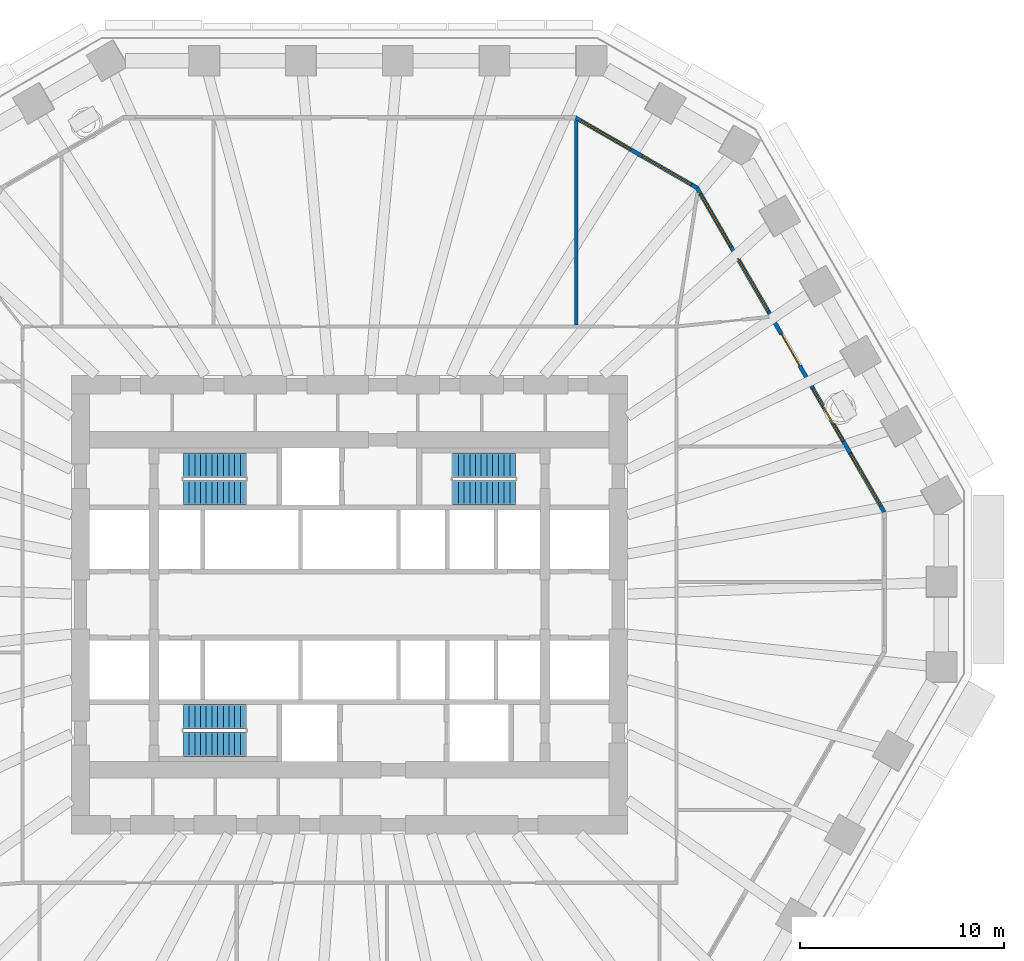
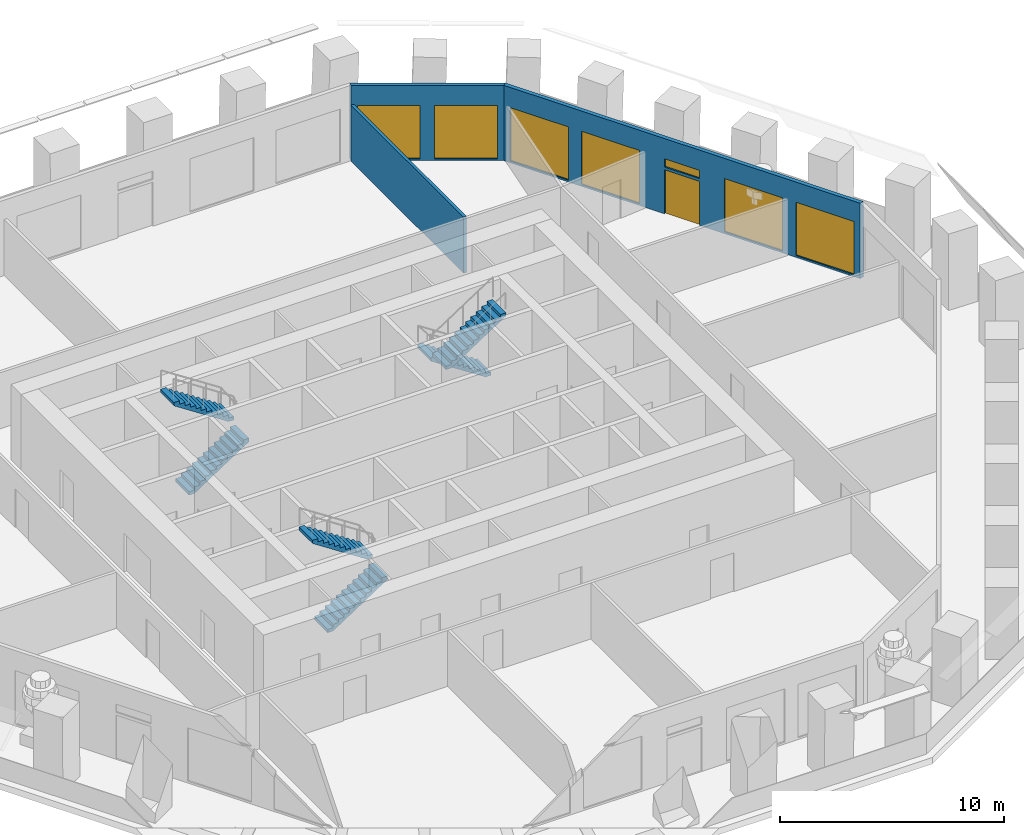
# One storey, part 8 of 12: 7 windows, 6 stair flights, 3 walls, 1 door, 8 openings, 3 elements without a shape of their own.
"""IFC4 building model written with IfcOpenShell, lengths in metres."""

from ifc_helpers import new_model, si_unit, direction, frame, frame_2d, origin, place, context, subcontext, project, spatial, polyline, rectangle, outline, extrude, material, layer, layer_set, type_object, element, fill, aggregate, save


model = new_model("IFC4")

# Units and contexts
model_context = context("Model", 3, precision=1e-05, world=origin(), true_north=direction((0.0, 1.0)))
body_context = subcontext(model_context, "Body", "Model", "MODEL_VIEW")
ifc_project = project(units=[si_unit("LENGTHUNIT", "METRE"), si_unit("AREAUNIT", "SQUARE_METRE"), si_unit("VOLUMEUNIT", "CUBIC_METRE"), si_unit("PLANEANGLEUNIT", "RADIAN"), si_unit("MASSUNIT", "GRAM", prefix="KILO")], contexts=[model_context])

# Site, building, storey
site_placement = place(None, origin())
site = spatial("IfcSite", under=ifc_project, at=site_placement, CompositionType="ELEMENT")
building_placement = place(site_placement, origin())
building = spatial("IfcBuilding", under=site, at=building_placement, Name="Frailejon Research Tower", CompositionType="ELEMENT")
storey_placement = place(building_placement, frame((0.0, 0.0, 49.800048828125)))
storey = spatial("IfcBuildingStorey", under=building, at=storey_placement, Name="L11", CompositionType="ELEMENT", Elevation=49.800048828125)

# Wall
ifc_material_1 = material(Name="Gypsum board and masonry partition", Category="masonry")
ifc_layer_1 = layer(ifc_material_1, 0.14990234375)
ifc_layer_set_1 = layer_set([ifc_layer_1], Name="Laboratory partition, blockwork 150")
wall_type_1 = type_object("IfcWallType", Name="Laboratory partition, blockwork 150", PredefinedType="PARTITIONING", material=ifc_layer_set_1)
wall_1_placement = place(storey_placement, frame((11.1337890625, 13.72509765625, 0.0), z_axis=(0.0, 0.0, 1.0), x_axis=(0.0, 1.0, 0.0)))
element("IfcWall", 1, at=wall_1_placement, inside=storey, type_object=wall_type_1, Name="T:IW:L11:009", PredefinedType="PARTITIONING", context=body_context, shape_type="SweptSolid", body=[
    extrude(rectangle(XDim=10.0439453125, YDim=0.14990234375, at=frame_2d((5.02197265625, 0.0))), origin(), (0.0, 0.0, 1.0), 3.050048828125),
])

# Wall, openings, door, windows
ifc_material_2 = material(Name="Concrete C40/50 precast window wall panel", Category="concrete")
ifc_layer_2 = layer(ifc_material_2, 0.199951171875)
ifc_layer_set_2 = layer_set([ifc_layer_2], Name="Window wall 200")
wall_type_2 = type_object("IfcWallType", Name="Window wall 200", PredefinedType="SOLIDWALL", material=ifc_layer_set_2)
wall_2_placement = place(storey_placement, frame((26.25146484375, 4.54345703125, 0.0), z_axis=(0.0, 0.0, 1.0), x_axis=(-0.499998761798, 0.866026118659, 0.0)))
wall_2 = element("IfcWall", 2, at=wall_2_placement, inside=storey, type_object=wall_type_2, Name="Exterior wall L11", PredefinedType="SOLIDWALL", context=body_context, shape_type="SweptSolid", body=[
    extrude(outline(polyline([(-0.02685546875, -0.10009765625), (0.997314453125, -0.10009765625), (2.021484375, -0.10009765625), (3.045654296875, -0.10009765625), (4.06982421875, -0.10009765625), (5.09423828125, -0.10009765625), (6.118408203125, -0.10009765625), (7.142578125, -0.10009765625), (8.166748046875, -0.10009765625), (9.19091796875, -0.10009765625), (10.215087890625, -0.10009765625), (11.2392578125, -0.10009765625), (12.263427734375, -0.10009765625), (13.28759765625, -0.10009765625), (14.31201171875, -0.10009765625), (15.336181640625, -0.10009765625), (16.3603515625, -0.10009765625), (17.384521484375, -0.10009765625), (18.40869140625, -0.10009765625), (18.35498046875, 0.10009765625), (17.336669921875, 0.10009765625), (16.318603515625, 0.10009765625), (15.30029296875, 0.10009765625), (14.281982421875, 0.10009765625), (13.263916015625, 0.10009765625), (12.24560546875, 0.10009765625), (11.227294921875, 0.10009765625), (10.209228515625, 0.10009765625), (9.19091796875, 0.10009765625), (8.172607421875, 0.10009765625), (7.154541015625, 0.10009765625), (6.13623046875, 0.10009765625), (5.117919921875, 0.10009765625), (4.099853515625, 0.10009765625), (3.08154296875, 0.10009765625), (2.063232421875, 0.10009765625), (1.045166015625, 0.10009765625), (0.02685546875, 0.10009765625), (-0.02685546875, -0.10009765625)])), origin(), (0.0, 0.0, 1.0), 4.099853515625),
])
opening_1_placement = place(wall_2_placement, frame((0.338134765625, 0.0, 0.10009765625)))
opening_1 = element("IfcOpeningElement", 3, at=opening_1_placement, cuts=wall_2, Name="Opening W4", PredefinedType="OPENING", context=body_context, shape_type="SweptSolid", body=[
    extrude(rectangle(XDim=3.0, YDim=2.89990234375, at=frame_2d((1.5, 1.449951171875))), frame((0.0, 0.10986328125, 0.0), z_axis=(0.0, -1.0, 0.0), x_axis=(1.0, 0.0, 0.0)), (0.0, 0.0, 1.0), 0.219970703125),
])
opening_2_placement = place(wall_2_placement, frame((4.0146484375, 0.0, 0.10009765625)))
opening_2 = element("IfcOpeningElement", 4, at=opening_2_placement, cuts=wall_2, Name="Opening W4", PredefinedType="OPENING", context=body_context, shape_type="SweptSolid", body=[
    extrude(rectangle(XDim=3.0, YDim=2.89990234375, at=frame_2d((1.5, 1.449951171875))), frame((0.0, 0.10986328125, 0.0), z_axis=(0.0, -1.0, 0.0), x_axis=(1.0, 0.0, 0.0)), (0.0, 0.0, 1.0), 0.219970703125),
])
opening_3_placement = place(wall_2_placement, frame((8.291015625, 0.0, 0.0)))
opening_3 = element("IfcOpeningElement", 5, at=opening_3_placement, cuts=wall_2, Name="Opening LG11-1", PredefinedType="OPENING", context=body_context, shape_type="SweptSolid", body=[
    extrude(rectangle(XDim=1.800048828125, YDim=2.39990234375, at=frame_2d((0.89990234375, 1.199951171875))), frame((0.0, 0.10986328125, 0.0), z_axis=(0.0, -1.0, 0.0), x_axis=(1.0, 0.0, 0.0)), (0.0, 0.0, 1.0), 0.219970703125),
])
opening_4_placement = place(wall_2_placement, frame((8.291015625, 0.0, 2.550048828125)))
opening_4 = element("IfcOpeningElement", 6, at=opening_4_placement, cuts=wall_2, Name="Opening W1", PredefinedType="OPENING", context=body_context, shape_type="SweptSolid", body=[
    extrude(rectangle(XDim=1.800048828125, YDim=0.449951171875, at=frame_2d((0.89990234375, 0.22509765625))), frame((0.0, 0.10986328125, 0.0), z_axis=(0.0, -1.0, 0.0), x_axis=(1.0, 0.0, 0.0)), (0.0, 0.0, 1.0), 0.219970703125),
])
opening_5_placement = place(wall_2_placement, frame((11.3671875, 0.0, 0.10009765625)))
opening_5 = element("IfcOpeningElement", 7, at=opening_5_placement, cuts=wall_2, Name="Opening W4", PredefinedType="OPENING", context=body_context, shape_type="SweptSolid", body=[
    extrude(rectangle(XDim=3.0, YDim=2.89990234375, at=frame_2d((1.5, 1.449951171875))), frame((0.0, 0.10986328125, 0.0), z_axis=(0.0, -1.0, 0.0), x_axis=(1.0, 0.0, 0.0)), (0.0, 0.0, 1.0), 0.219970703125),
])
opening_6_placement = place(wall_2_placement, frame((15.043701171875, 0.0, 0.10009765625)))
opening_6 = element("IfcOpeningElement", 8, at=opening_6_placement, cuts=wall_2, Name="Opening W4", PredefinedType="OPENING", context=body_context, shape_type="SweptSolid", body=[
    extrude(rectangle(XDim=3.0, YDim=2.89990234375, at=frame_2d((1.5, 1.449951171875))), frame((0.0, 0.10986328125, 0.0), z_axis=(0.0, -1.0, 0.0), x_axis=(1.0, 0.0, 0.0)), (0.0, 0.0, 1.0), 0.219970703125),
])
ifc_material_3 = material(Name="Aluminium framed glazed door leaf", Category="aluminium")
door_type = type_object("IfcDoorType", Name="Loggia door 1800x2400", OperationType="DOUBLE_DOOR_SINGLE_SWING", PredefinedType="DOOR", material=ifc_material_3)
door_placement = place(opening_3_placement, origin())
door = element("IfcDoor", 9, at=door_placement, inside=storey, type_object=door_type, Name="Door LG11-1", OperationType="DOUBLE_DOOR_SINGLE_SWING", OverallHeight=2.39990234375, OverallWidth=1.800048828125, PredefinedType="DOOR", context=body_context, shape_type="SweptSolid", body=[
    extrude(rectangle(XDim=1.800048828125, YDim=2.39990234375, at=frame_2d((0.89990234375, 1.199951171875))), frame((0.0, 0.02490234375, 0.0), z_axis=(0.0, -1.0, 0.0), x_axis=(1.0, 0.0, 0.0)), (0.0, 0.0, 1.0), 0.050048828125),
])
fill(opening_3, door)
ifc_material_4 = material(Name="Aluminium framed double glazing", Category="aluminium")
window_type_1 = type_object("IfcWindowType", Name="Window 1800x450", PartitioningType="SINGLE_PANEL", PredefinedType="WINDOW", material=ifc_material_4)
window_1_placement = place(opening_4_placement, origin())
window_1 = element("IfcWindow", 10, at=window_1_placement, inside=storey, type_object=window_type_1, Name="Window L11", OverallHeight=0.449951171875, OverallWidth=1.800048828125, PartitioningType="SINGLE_PANEL", PredefinedType="WINDOW", context=body_context, shape_type="SweptSolid", body=[
    extrude(rectangle(XDim=1.800048828125, YDim=0.449951171875, at=frame_2d((0.89990234375, 0.22509765625))), frame((0.0, 0.030029296875, 0.0), z_axis=(0.0, -1.0, 0.0), x_axis=(1.0, 0.0, 0.0)), (0.0, 0.0, 1.0), 0.06005859375),
])
fill(opening_4, window_1)
ifc_material_5 = material(Name="Aluminium framed double glazing", Category="aluminium")
window_type_2 = type_object("IfcWindowType", Name="Window 3000x2900", PartitioningType="SINGLE_PANEL", PredefinedType="WINDOW", material=ifc_material_5)
window_2_placement = place(opening_1_placement, origin())
window_2 = element("IfcWindow", 11, at=window_2_placement, inside=storey, type_object=window_type_2, Name="Window L11", OverallHeight=2.89990234375, OverallWidth=3.0, PartitioningType="SINGLE_PANEL", PredefinedType="WINDOW", context=body_context, shape_type="SweptSolid", body=[
    extrude(rectangle(XDim=3.0, YDim=2.89990234375, at=frame_2d((1.5, 1.449951171875))), frame((0.0, 0.030029296875, 0.0), z_axis=(0.0, -1.0, 0.0), x_axis=(1.0, 0.0, 0.0)), (0.0, 0.0, 1.0), 0.06005859375),
])
fill(opening_1, window_2)
window_3_placement = place(opening_2_placement, origin())
window_3 = element("IfcWindow", 12, at=window_3_placement, inside=storey, type_object=window_type_2, Name="Window L11", OverallHeight=2.89990234375, OverallWidth=3.0, PartitioningType="SINGLE_PANEL", PredefinedType="WINDOW", context=body_context, shape_type="SweptSolid", body=[
    extrude(rectangle(XDim=3.0, YDim=2.89990234375, at=frame_2d((1.5, 1.449951171875))), frame((0.0, 0.030029296875, 0.0), z_axis=(0.0, -1.0, 0.0), x_axis=(1.0, 0.0, 0.0)), (0.0, 0.0, 1.0), 0.06005859375),
])
fill(opening_2, window_3)
window_4_placement = place(opening_5_placement, origin())
window_4 = element("IfcWindow", 13, at=window_4_placement, inside=storey, type_object=window_type_2, Name="Window L11", OverallHeight=2.89990234375, OverallWidth=3.0, PartitioningType="SINGLE_PANEL", PredefinedType="WINDOW", context=body_context, shape_type="SweptSolid", body=[
    extrude(rectangle(XDim=3.0, YDim=2.89990234375, at=frame_2d((1.5, 1.449951171875))), frame((0.0, 0.030029296875, 0.0), z_axis=(0.0, -1.0, 0.0), x_axis=(1.0, 0.0, 0.0)), (0.0, 0.0, 1.0), 0.06005859375),
])
fill(opening_5, window_4)
window_5_placement = place(opening_6_placement, origin())
window_5 = element("IfcWindow", 14, at=window_5_placement, inside=storey, type_object=window_type_2, Name="Window L11", OverallHeight=2.89990234375, OverallWidth=3.0, PartitioningType="SINGLE_PANEL", PredefinedType="WINDOW", context=body_context, shape_type="SweptSolid", body=[
    extrude(rectangle(XDim=3.0, YDim=2.89990234375, at=frame_2d((1.5, 1.449951171875))), frame((0.0, 0.030029296875, 0.0), z_axis=(0.0, -1.0, 0.0), x_axis=(1.0, 0.0, 0.0)), (0.0, 0.0, 1.0), 0.06005859375),
])
fill(opening_6, window_5)

# Wall, openings, windows
wall_3_placement = place(storey_placement, frame((17.060546875, 20.462646484375, 0.0), z_axis=(0.0, 0.0, 1.0), x_axis=(-0.866029458321, 0.49999297727, 0.0)))
wall_3 = element("IfcWall", 15, at=wall_3_placement, inside=storey, type_object=wall_type_2, Name="Exterior wall L11", PredefinedType="SOLIDWALL", context=body_context, shape_type="SweptSolid", body=[
    extrude(outline(polyline([(-0.02685546875, -0.10009765625), (1.1279296875, -0.10009765625), (2.282470703125, -0.10009765625), (3.437255859375, -0.10009765625), (4.592041015625, -0.10009765625), (5.74658203125, -0.10009765625), (6.9013671875, -0.10009765625), (6.84765625, 0.10009765625), (5.7109375, 0.10009765625), (4.573974609375, 0.10009765625), (3.437255859375, 0.10009765625), (2.300537109375, 0.10009765625), (1.16357421875, 0.10009765625), (0.02685546875, 0.10009765625), (-0.02685546875, -0.10009765625)])), origin(), (0.0, 0.0, 1.0), 4.099853515625),
])
opening_7_placement = place(wall_3_placement, frame((0.318603515625, 0.0, 0.10009765625)))
opening_7 = element("IfcOpeningElement", 16, at=opening_7_placement, cuts=wall_3, Name="Opening W3", PredefinedType="OPENING", context=body_context, shape_type="SweptSolid", body=[
    extrude(rectangle(XDim=2.800048828125, YDim=2.89990234375, at=frame_2d((1.39990234375, 1.449951171875))), frame((0.0, 0.10986328125, 0.0), z_axis=(0.0, -1.0, 0.0), x_axis=(1.0, 0.0, 0.0)), (0.0, 0.0, 1.0), 0.219970703125),
])
opening_8_placement = place(wall_3_placement, frame((3.756103515625, 0.0, 0.10009765625)))
opening_8 = element("IfcOpeningElement", 17, at=opening_8_placement, cuts=wall_3, Name="Opening W3", PredefinedType="OPENING", context=body_context, shape_type="SweptSolid", body=[
    extrude(rectangle(XDim=2.800048828125, YDim=2.89990234375, at=frame_2d((1.39990234375, 1.449951171875))), frame((0.0, 0.10986328125, 0.0), z_axis=(0.0, -1.0, 0.0), x_axis=(1.0, 0.0, 0.0)), (0.0, 0.0, 1.0), 0.219970703125),
])
ifc_material_6 = material(Name="Aluminium framed double glazing", Category="aluminium")
window_type_3 = type_object("IfcWindowType", Name="Window 2800x2900", PartitioningType="SINGLE_PANEL", PredefinedType="WINDOW", material=ifc_material_6)
window_6_placement = place(opening_7_placement, origin())
window_6 = element("IfcWindow", 18, at=window_6_placement, inside=storey, type_object=window_type_3, Name="Window L11", OverallHeight=2.89990234375, OverallWidth=2.800048828125, PartitioningType="SINGLE_PANEL", PredefinedType="WINDOW", context=body_context, shape_type="SweptSolid", body=[
    extrude(rectangle(XDim=2.800048828125, YDim=2.89990234375, at=frame_2d((1.39990234375, 1.449951171875))), frame((0.0, 0.030029296875, 0.0), z_axis=(0.0, -1.0, 0.0), x_axis=(1.0, 0.0, 0.0)), (0.0, 0.0, 1.0), 0.06005859375),
])
fill(opening_7, window_6)
window_7_placement = place(opening_8_placement, origin())
window_7 = element("IfcWindow", 19, at=window_7_placement, inside=storey, type_object=window_type_3, Name="Window L11", OverallHeight=2.89990234375, OverallWidth=2.800048828125, PartitioningType="SINGLE_PANEL", PredefinedType="WINDOW", context=body_context, shape_type="SweptSolid", body=[
    extrude(rectangle(XDim=2.800048828125, YDim=2.89990234375, at=frame_2d((1.39990234375, 1.449951171875))), frame((0.0, 0.030029296875, 0.0), z_axis=(0.0, -1.0, 0.0), x_axis=(1.0, 0.0, 0.0)), (0.0, 0.0, 1.0), 0.06005859375),
])
fill(opening_8, window_7)

# Stair, stair flights
ifc_material_7 = material(Name="Concrete C50/60", Category="concrete")
stair_type = type_object("IfcStairType", Name="Exit stair 24 risers", PredefinedType="HALF_TURN_STAIR", material=ifc_material_7)
stair_1_placement = place(storey_placement, origin())
stair_1 = element("IfcStair", 20, at=stair_1_placement, inside=storey, type_object=stair_type, Name="L11 Exit stair ST1", PredefinedType="HALF_TURN_STAIR")
ifc_material_8 = material(Name="Concrete C50/60", Category="concrete")
ifc_layer_3 = layer(ifc_material_8, 0.14990234375)
ifc_layer_set_3 = layer_set([ifc_layer_3], Name="Stair flight 12 risers")
stair_flight_type = type_object("IfcStairFlightType", Name="Stair flight 12 risers", PredefinedType="STRAIGHT", material=ifc_layer_set_3)
stair_flight_1_placement = place(storey_placement, frame((-8.14990234375, 5.5, 0.0), z_axis=(0.0, 0.0, 1.0), x_axis=(1.0, 0.0, 0.0)))
stair_flight_1 = element("IfcStairFlight", 21, at=stair_flight_1_placement, type_object=stair_flight_type, Name="ST1 flight 1", NumberOfRisers=12, NumberOfTreads=11, PredefinedType="STRAIGHT", RiserHeight=0.183333333, TreadLength=0.28, context=body_context, shape_type="SweptSolid", body=[
    extrude(outline(polyline([(0.0, 0.0), (0.0, 0.183349609375), (0.280029296875, 0.183349609375), (0.280029296875, 0.36669921875), (0.56005859375, 0.36669921875), (0.56005859375, 0.550048828125), (0.840087890625, 0.550048828125), (0.840087890625, 0.7333984375), (1.1201171875, 0.7333984375), (1.1201171875, 0.916748046875), (1.39990234375, 0.916748046875), (1.39990234375, 1.10009765625), (1.679931640625, 1.10009765625), (1.679931640625, 1.283447265625), (1.9599609375, 1.283447265625), (1.9599609375, 1.466552734375), (2.239990234375, 1.466552734375), (2.239990234375, 1.64990234375), (2.52001953125, 1.64990234375), (2.52001953125, 1.833251953125), (2.800048828125, 1.833251953125), (2.800048828125, 2.0166015625), (3.080078125, 2.0166015625), (3.080078125, 2.199951171875), (3.080078125, 1.83740234375), (0.273681640625, 0.0), (0.0, 0.0)])), frame((0.0, 0.60009765625, 0.0), z_axis=(0.0, -1.0, 0.0), x_axis=(1.0, 0.0, 0.0)), (0.0, 0.0, 1.0), 1.199951171875),
])
stair_flight_2_placement = place(storey_placement, frame((-5.070068359375, 6.85009765625, 2.199951171875), z_axis=(0.0, 0.0, 1.0), x_axis=(-1.0, 0.0, 0.0)))
stair_flight_2 = element("IfcStairFlight", 22, at=stair_flight_2_placement, type_object=stair_flight_type, Name="ST1 flight 2", NumberOfRisers=12, NumberOfTreads=11, PredefinedType="STRAIGHT", RiserHeight=0.183333333, TreadLength=0.28, context=body_context, shape_type="SweptSolid", body=[
    extrude(outline(polyline([(0.0, 0.0), (0.0, 0.183349609375), (0.280029296875, 0.183349609375), (0.280029296875, 0.36669921875), (0.56005859375, 0.36669921875), (0.56005859375, 0.550048828125), (0.840087890625, 0.550048828125), (0.840087890625, 0.7333984375), (1.1201171875, 0.7333984375), (1.1201171875, 0.916748046875), (1.39990234375, 0.916748046875), (1.39990234375, 1.10009765625), (1.679931640625, 1.10009765625), (1.679931640625, 1.283447265625), (1.9599609375, 1.283447265625), (1.9599609375, 1.466552734375), (2.239990234375, 1.466552734375), (2.239990234375, 1.64990234375), (2.52001953125, 1.64990234375), (2.52001953125, 1.833251953125), (2.800048828125, 1.833251953125), (2.800048828125, 2.0166015625), (3.080078125, 2.0166015625), (3.080078125, 2.199951171875), (3.080078125, 1.83740234375), (0.273681640625, 0.0), (0.0, 0.0)])), frame((0.0, 0.60009765625, 0.0), z_axis=(0.0, -1.0, 0.0), x_axis=(1.0, 0.0, 0.0)), (0.0, 0.0, 1.0), 1.199951171875),
])
aggregate(stair_1, [stair_flight_1, stair_flight_2])

stair_2_placement = place(storey_placement, origin())
stair_2 = element("IfcStair", 23, at=stair_2_placement, inside=storey, type_object=stair_type, Name="L11 Exit stair ST2", PredefinedType="HALF_TURN_STAIR")
stair_flight_3_placement = place(storey_placement, frame((-8.14990234375, -6.85009765625, 0.0), z_axis=(0.0, 0.0, 1.0), x_axis=(1.0, 0.0, 0.0)))
stair_flight_3 = element("IfcStairFlight", 24, at=stair_flight_3_placement, type_object=stair_flight_type, Name="ST2 flight 1", NumberOfRisers=12, NumberOfTreads=11, PredefinedType="STRAIGHT", RiserHeight=0.183333333, TreadLength=0.28, context=body_context, shape_type="SweptSolid", body=[
    extrude(outline(polyline([(0.0, 0.0), (0.0, 0.183349609375), (0.280029296875, 0.183349609375), (0.280029296875, 0.36669921875), (0.56005859375, 0.36669921875), (0.56005859375, 0.550048828125), (0.840087890625, 0.550048828125), (0.840087890625, 0.7333984375), (1.1201171875, 0.7333984375), (1.1201171875, 0.916748046875), (1.39990234375, 0.916748046875), (1.39990234375, 1.10009765625), (1.679931640625, 1.10009765625), (1.679931640625, 1.283447265625), (1.9599609375, 1.283447265625), (1.9599609375, 1.466552734375), (2.239990234375, 1.466552734375), (2.239990234375, 1.64990234375), (2.52001953125, 1.64990234375), (2.52001953125, 1.833251953125), (2.800048828125, 1.833251953125), (2.800048828125, 2.0166015625), (3.080078125, 2.0166015625), (3.080078125, 2.199951171875), (3.080078125, 1.83740234375), (0.273681640625, 0.0), (0.0, 0.0)])), frame((0.0, 0.60009765625, 0.0), z_axis=(0.0, -1.0, 0.0), x_axis=(1.0, 0.0, 0.0)), (0.0, 0.0, 1.0), 1.199951171875),
])
stair_flight_4_placement = place(storey_placement, frame((-5.070068359375, -5.5, 2.199951171875), z_axis=(0.0, 0.0, 1.0), x_axis=(-1.0, 0.0, 0.0)))
stair_flight_4 = element("IfcStairFlight", 25, at=stair_flight_4_placement, type_object=stair_flight_type, Name="ST2 flight 2", NumberOfRisers=12, NumberOfTreads=11, PredefinedType="STRAIGHT", RiserHeight=0.183333333, TreadLength=0.28, context=body_context, shape_type="SweptSolid", body=[
    extrude(outline(polyline([(0.0, 0.0), (0.0, 0.183349609375), (0.280029296875, 0.183349609375), (0.280029296875, 0.36669921875), (0.56005859375, 0.36669921875), (0.56005859375, 0.550048828125), (0.840087890625, 0.550048828125), (0.840087890625, 0.7333984375), (1.1201171875, 0.7333984375), (1.1201171875, 0.916748046875), (1.39990234375, 0.916748046875), (1.39990234375, 1.10009765625), (1.679931640625, 1.10009765625), (1.679931640625, 1.283447265625), (1.9599609375, 1.283447265625), (1.9599609375, 1.466552734375), (2.239990234375, 1.466552734375), (2.239990234375, 1.64990234375), (2.52001953125, 1.64990234375), (2.52001953125, 1.833251953125), (2.800048828125, 1.833251953125), (2.800048828125, 2.0166015625), (3.080078125, 2.0166015625), (3.080078125, 2.199951171875), (3.080078125, 1.83740234375), (0.273681640625, 0.0), (0.0, 0.0)])), frame((0.0, 0.60009765625, 0.0), z_axis=(0.0, -1.0, 0.0), x_axis=(1.0, 0.0, 0.0)), (0.0, 0.0, 1.0), 1.199951171875),
])
aggregate(stair_2, [stair_flight_3, stair_flight_4])

stair_3_placement = place(storey_placement, origin())
stair_3 = element("IfcStair", 26, at=stair_3_placement, inside=storey, type_object=stair_type, Name="L11 Exit stair ST3", PredefinedType="HALF_TURN_STAIR")
stair_flight_5_placement = place(storey_placement, frame((8.14990234375, 6.85009765625, 0.0), z_axis=(0.0, 0.0, 1.0), x_axis=(-1.0, 0.0, 0.0)))
stair_flight_5 = element("IfcStairFlight", 27, at=stair_flight_5_placement, type_object=stair_flight_type, Name="ST3 flight 1", NumberOfRisers=12, NumberOfTreads=11, PredefinedType="STRAIGHT", RiserHeight=0.183333333, TreadLength=0.28, context=body_context, shape_type="SweptSolid", body=[
    extrude(outline(polyline([(0.0, 0.0), (0.0, 0.183349609375), (0.280029296875, 0.183349609375), (0.280029296875, 0.36669921875), (0.56005859375, 0.36669921875), (0.56005859375, 0.550048828125), (0.840087890625, 0.550048828125), (0.840087890625, 0.7333984375), (1.1201171875, 0.7333984375), (1.1201171875, 0.916748046875), (1.39990234375, 0.916748046875), (1.39990234375, 1.10009765625), (1.679931640625, 1.10009765625), (1.679931640625, 1.283447265625), (1.9599609375, 1.283447265625), (1.9599609375, 1.466552734375), (2.239990234375, 1.466552734375), (2.239990234375, 1.64990234375), (2.52001953125, 1.64990234375), (2.52001953125, 1.833251953125), (2.800048828125, 1.833251953125), (2.800048828125, 2.0166015625), (3.080078125, 2.0166015625), (3.080078125, 2.199951171875), (3.080078125, 1.83740234375), (0.273681640625, 0.0), (0.0, 0.0)])), frame((0.0, 0.60009765625, 0.0), z_axis=(0.0, -1.0, 0.0), x_axis=(1.0, 0.0, 0.0)), (0.0, 0.0, 1.0), 1.199951171875),
])
stair_flight_6_placement = place(storey_placement, frame((5.070068359375, 5.5, 2.199951171875), z_axis=(0.0, 0.0, 1.0), x_axis=(1.0, 0.0, 0.0)))
stair_flight_6 = element("IfcStairFlight", 28, at=stair_flight_6_placement, type_object=stair_flight_type, Name="ST3 flight 2", NumberOfRisers=12, NumberOfTreads=11, PredefinedType="STRAIGHT", RiserHeight=0.183333333, TreadLength=0.28, context=body_context, shape_type="SweptSolid", body=[
    extrude(outline(polyline([(0.0, 0.0), (0.0, 0.183349609375), (0.280029296875, 0.183349609375), (0.280029296875, 0.36669921875), (0.56005859375, 0.36669921875), (0.56005859375, 0.550048828125), (0.840087890625, 0.550048828125), (0.840087890625, 0.7333984375), (1.1201171875, 0.7333984375), (1.1201171875, 0.916748046875), (1.39990234375, 0.916748046875), (1.39990234375, 1.10009765625), (1.679931640625, 1.10009765625), (1.679931640625, 1.283447265625), (1.9599609375, 1.283447265625), (1.9599609375, 1.466552734375), (2.239990234375, 1.466552734375), (2.239990234375, 1.64990234375), (2.52001953125, 1.64990234375), (2.52001953125, 1.833251953125), (2.800048828125, 1.833251953125), (2.800048828125, 2.0166015625), (3.080078125, 2.0166015625), (3.080078125, 2.199951171875), (3.080078125, 1.83740234375), (0.273681640625, 0.0), (0.0, 0.0)])), frame((0.0, 0.60009765625, 0.0), z_axis=(0.0, -1.0, 0.0), x_axis=(1.0, 0.0, 0.0)), (0.0, 0.0, 1.0), 1.199951171875),
])
aggregate(stair_3, [stair_flight_5, stair_flight_6])

save(model, "model.ifc")
